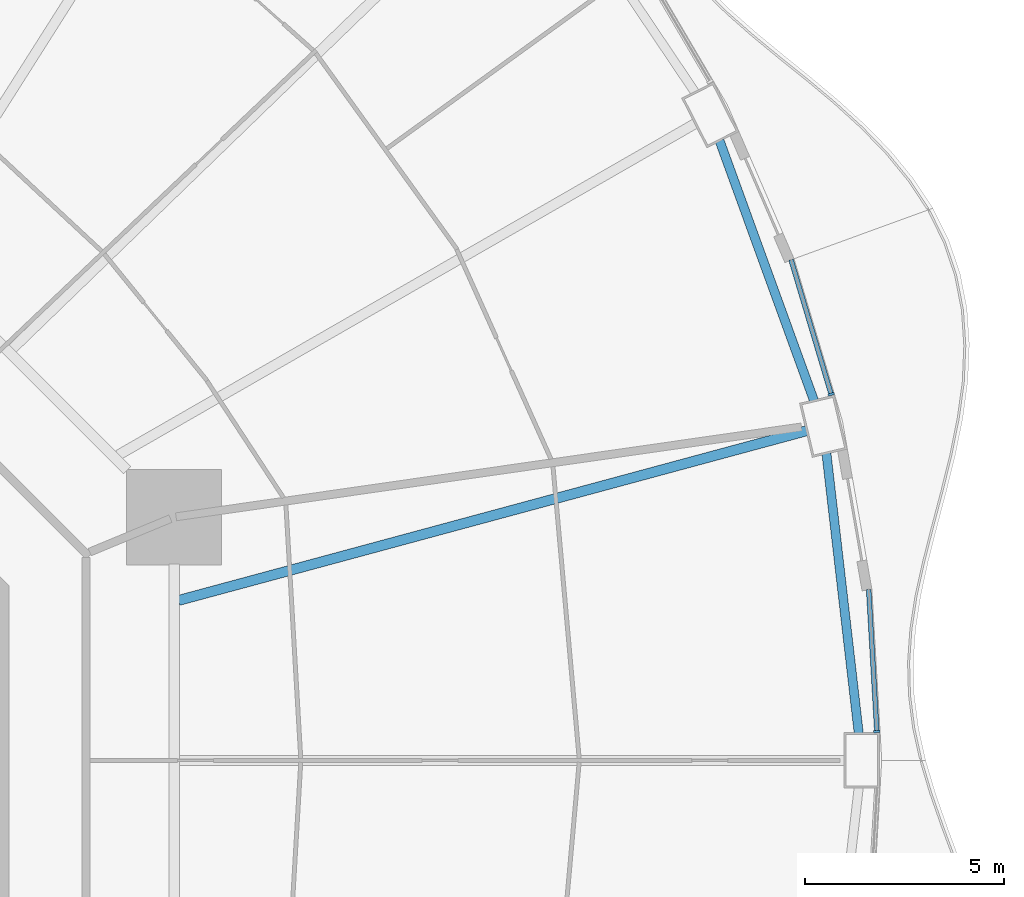
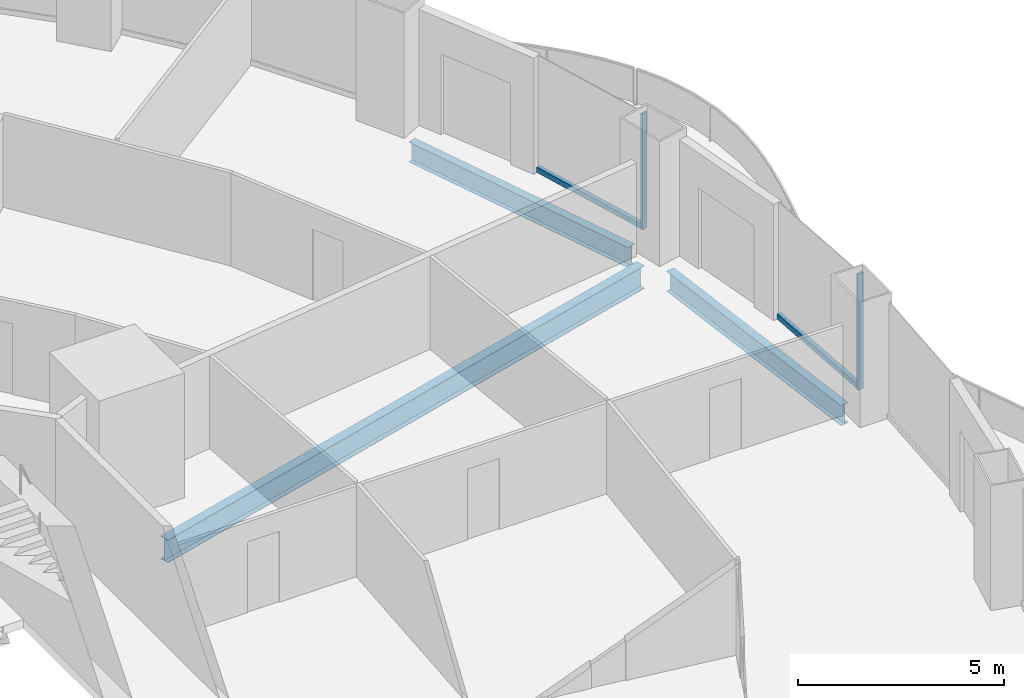
# One storey, part 9 of 22: 4 members, 3 beams, 2 elements without a shape of their own.
"""IFC4 building model written with IfcOpenShell, lengths in metres."""

from ifc_helpers import new_model, si_unit, direction, frame, origin, origin_2d, place, context, subcontext, project, spatial, rectangle, i_section, extrude, material, layer, layer_set, material_profile, profile_set, type_object, element, aggregate, save


model = new_model("IFC4")

# Units and contexts
model_context = context("Model", 3, precision=1e-05, world=origin(), true_north=direction((0.0, 1.0)))
body_context = subcontext(model_context, "Body", "Model", "MODEL_VIEW")
ifc_project = project(units=[si_unit("LENGTHUNIT", "METRE"), si_unit("AREAUNIT", "SQUARE_METRE"), si_unit("VOLUMEUNIT", "CUBIC_METRE"), si_unit("PLANEANGLEUNIT", "RADIAN"), si_unit("MASSUNIT", "GRAM", prefix="KILO")], contexts=[model_context])

# Site, building, storey
site_placement = place(None, origin())
site = spatial("IfcSite", under=ifc_project, at=site_placement, CompositionType="ELEMENT")
building_placement = place(site_placement, origin())
building = spatial("IfcBuilding", under=site, at=building_placement, Name="Nagisa Residences", CompositionType="ELEMENT")
storey_placement = place(building_placement, frame((0.0, 0.0, 41.800048828125)))
storey = spatial("IfcBuildingStorey", under=building, at=storey_placement, Name="L09", CompositionType="ELEMENT", Elevation=41.800048828125)

# Curtain wall, member
ifc_material_1 = material(Name="Concrete-coloured aluminium curtain wall system", Category="concrete")
ifc_layer = layer(ifc_material_1, 0.159912109375)
ifc_layer_set = layer_set([ifc_layer], Name="CW1 CURTAIN WALL")
curtain_wall_type = type_object("IfcCurtainWallType", Name="CW1 CURTAIN WALL", PredefinedType="NOTDEFINED", material=ifc_layer_set)
curtain_wall_1_placement = place(storey_placement, origin())
curtain_wall_1 = element("IfcCurtainWall", 1, at=curtain_wall_1_placement, inside=storey, type_object=curtain_wall_type, Name="cw:CW1:L09:00", PredefinedType="NOTDEFINED")
ifc_material_2 = material(Name="Concrete-coloured aluminium", Category="concrete")
ifc_material_profile_1 = material_profile(ifc_material_2, rectangle(XDim=0.159912109375, YDim=0.06005859375, at=origin_2d()), Name="CW1 MULLION 160x60")
ifc_profile_set_1 = profile_set([ifc_material_profile_1], Name="Concrete-coloured aluminium")
member_type_1 = type_object("IfcMemberType", Name="CW1 MULLION 160x60", PredefinedType="MULLION", material=ifc_profile_set_1)
member_1_placement = place(storey_placement, frame((32.478271484375, 0.72412109375, 0.0), z_axis=(0.0, 0.0, 1.0), x_axis=(-0.998345305184, -0.057503492216, 0.0)))
member_1 = element("IfcMember", 2, at=member_1_placement, type_object=member_type_1, Name="CW1 mullion", PredefinedType="MULLION", context=body_context, shape_type="SweptSolid", body=[
    extrude(rectangle(XDim=0.159912109375, YDim=0.06005859375, at=origin_2d()), origin(), (0.0, 0.0, 1.0), 3.43994140625),
])

curtain_wall_2_placement = place(storey_placement, origin())
curtain_wall_2 = element("IfcCurtainWall", 3, at=curtain_wall_2_placement, inside=storey, type_object=curtain_wall_type, Name="cw:CW1:L09:02", PredefinedType="NOTDEFINED")
member_2_placement = place(storey_placement, frame((31.326416015625, 9.2177734375, 0.0), z_axis=(0.0, 0.0, 1.0), x_axis=(-0.958271310082, -0.285860274038, 0.0)))
member_2 = element("IfcMember", 4, at=member_2_placement, type_object=member_type_1, Name="CW1 mullion", PredefinedType="MULLION", context=body_context, shape_type="SweptSolid", body=[
    extrude(rectangle(XDim=0.159912109375, YDim=0.06005859375, at=origin_2d()), origin(), (0.0, 0.0, 1.0), 3.43994140625),
])

# Member
ifc_material_3 = material(Name="Concrete-coloured aluminium", Category="concrete")
ifc_material_profile_2 = material_profile(ifc_material_3, rectangle(XDim=0.1201171875, YDim=0.14990234375, at=origin_2d()), Name="CW1 TRANSOM 120x150")
ifc_profile_set_2 = profile_set([ifc_material_profile_2], Name="Concrete-coloured aluminium")
member_type_2 = type_object("IfcMemberType", Name="CW1 TRANSOM 120x150", PredefinedType="USERDEFINED", material=ifc_profile_set_2)
member_3_placement = place(storey_placement, frame((32.47998046875, 0.6943359375, 0.074951171875), z_axis=(-0.057549926952, 0.998342629515, 0.0), x_axis=(-0.998342629515, -0.057549926952, 0.0)))
member_3 = element("IfcMember", 5, at=member_3_placement, type_object=member_type_2, Name="CW1 transom", ObjectType="TRANSOM", PredefinedType="USERDEFINED", context=body_context, shape_type="SweptSolid", body=[
    extrude(rectangle(XDim=0.1201171875, YDim=0.14990234375, at=origin_2d()), origin(), (0.0, 0.0, 1.0), 3.614501953125),
])

aggregate(curtain_wall_1, [member_1, member_3])

member_4_placement = place(storey_placement, frame((31.335205078125, 9.18896484375, 0.074951171875), z_axis=(-0.285871309426, 0.958268018065, 0.0), x_axis=(-0.958268018065, -0.285871309426, 0.0)))
member_4 = element("IfcMember", 6, at=member_4_placement, type_object=member_type_2, Name="CW1 transom", ObjectType="TRANSOM", PredefinedType="USERDEFINED", context=body_context, shape_type="SweptSolid", body=[
    extrude(rectangle(XDim=0.1201171875, YDim=0.14990234375, at=origin_2d()), origin(), (0.0, 0.0, 1.0), 3.5654296875),
])

aggregate(curtain_wall_2, [member_2, member_4])

# Beams
ifc_material_4 = material(Name="Steel ASTM A572 Gr 50", Category="steel")
ifc_material_profile_3 = material_profile(ifc_material_4, i_section(OverallWidth=0.22802734375, OverallDepth=0.60302734375, WebThickness=0.010498046875, FlangeThickness=0.014892578125, at=origin_2d()), Name="W610x101")
ifc_profile_set_3 = profile_set([ifc_material_profile_3], Name="Steel ASTM A572 Gr 50")
beam_type_1 = type_object("IfcBeamType", Name="Perimeter ring beam W610x101", PredefinedType="BEAM", material=ifc_profile_set_3)
beam_1_placement = place(storey_placement, frame((32.021484375, 0.68017578125, -0.5615234375), z_axis=(-0.114673717321, 0.993403210462, 0.0), x_axis=(-0.993403210462, -0.114673717321, 0.0)))
element("IfcBeam", 7, at=beam_1_placement, inside=storey, type_object=beam_type_1, Name="beam:L09:pb01", PredefinedType="BEAM", context=body_context, shape_type="SweptSolid", body=[
    extrude(i_section(OverallWidth=0.22802734375, OverallDepth=0.60302734375, WebThickness=0.010498046875, FlangeThickness=0.014892578125, at=origin_2d()), origin(), (0.0, 0.0, 1.0), 7.09814453125),
])
beam_2_placement = place(storey_placement, frame((30.89501953125, 9.055419921875, -0.5615234375), z_axis=(-0.341411143183, 0.939914055279, 0.0), x_axis=(-0.939914055279, -0.341411143183, 0.0)))
element("IfcBeam", 8, at=beam_2_placement, inside=storey, type_object=beam_type_1, Name="beam:L09:pb02", PredefinedType="BEAM", context=body_context, shape_type="SweptSolid", body=[
    extrude(i_section(OverallWidth=0.22802734375, OverallDepth=0.60302734375, WebThickness=0.010498046875, FlangeThickness=0.014892578125, at=origin_2d()), origin(), (0.0, 0.0, 1.0), 6.96923828125),
])
ifc_material_5 = material(Name="Steel ASTM A572 Gr 50", Category="steel")
ifc_material_profile_4 = material_profile(ifc_material_5, i_section(OverallWidth=0.25390625, OverallDepth=0.68408203125, WebThickness=0.012451171875, FlangeThickness=0.018798828125, at=origin_2d()), Name="W690x140")
ifc_profile_set_4 = profile_set([ifc_material_profile_4], Name="Steel ASTM A572 Gr 50")
beam_type_2 = type_object("IfcBeamType", Name="Radial beam W690x140", PredefinedType="BEAM", material=ifc_profile_set_4)
beam_3_placement = place(storey_placement, frame((30.713623046875, 8.29931640625, -0.60205078125), z_axis=(-0.965375968847, -0.260862490162, 0.0), x_axis=(0.260862490162, -0.965375968847, 0.0)))
element("IfcBeam", 9, at=beam_3_placement, inside=storey, type_object=beam_type_2, Name="beam:L09:rb02", PredefinedType="BEAM", context=body_context, shape_type="SweptSolid", body=[
    extrude(i_section(OverallWidth=0.25390625, OverallDepth=0.68408203125, WebThickness=0.012451171875, FlangeThickness=0.018798828125, at=origin_2d()), origin(), (0.0, 0.0, 1.0), 16.3857421875),
])

save(model, "model.ifc")
